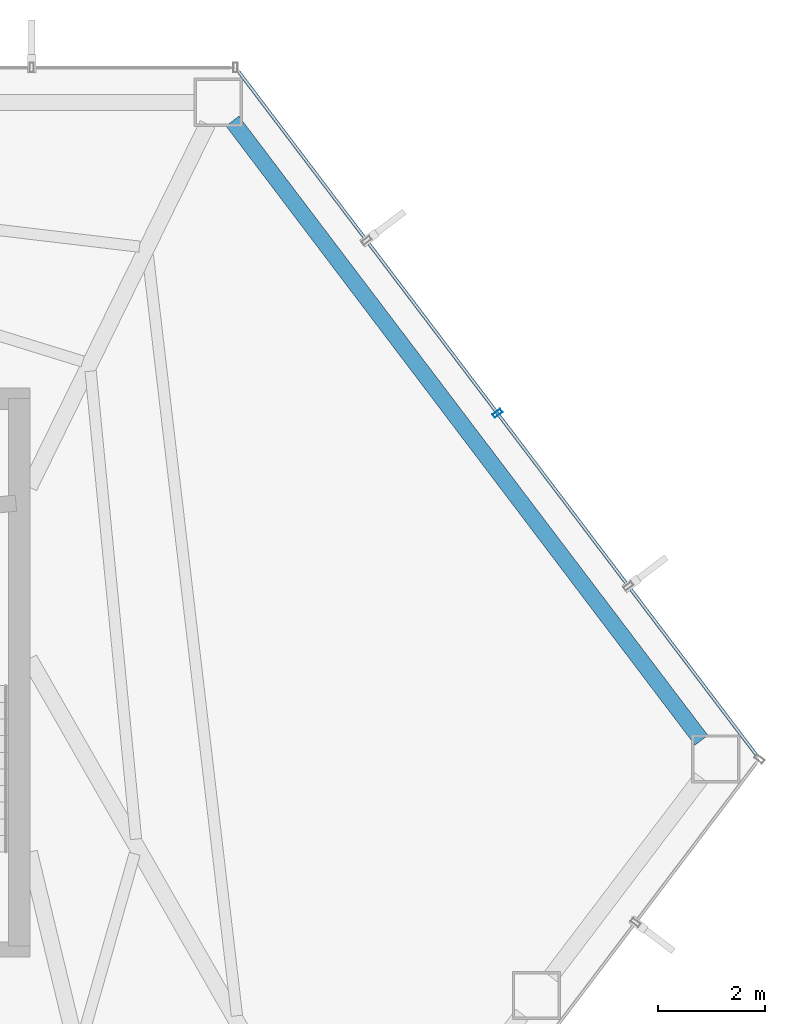
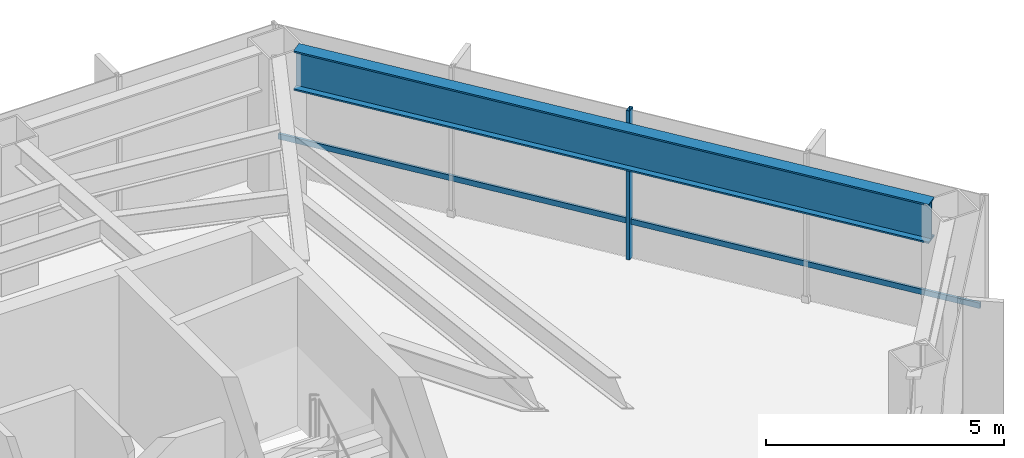
# One storey, part 20 of 25: 2 members, 1 beam, 1 element without a shape of its own.
"""IFC4 building model written with IfcOpenShell, lengths in metres."""

from ifc_helpers import new_model, si_unit, direction, frame, origin, origin_2d, place, context, subcontext, project, spatial, hollow_rectangle, i_section, extrude, material, layer, layer_set, material_profile, profile_set, type_object, element, aggregate, save


model = new_model("IFC4")

# Units and contexts
model_context = context("Model", 3, precision=1e-05, world=origin(), true_north=direction((0.0, 1.0)))
body_context = subcontext(model_context, "Body", "Model", "MODEL_VIEW")
ifc_project = project(units=[si_unit("LENGTHUNIT", "METRE"), si_unit("AREAUNIT", "SQUARE_METRE"), si_unit("VOLUMEUNIT", "CUBIC_METRE"), si_unit("PLANEANGLEUNIT", "RADIAN"), si_unit("MASSUNIT", "GRAM", prefix="KILO")], contexts=[model_context])

# Site, building, storey
site_placement = place(None, origin())
site = spatial("IfcSite", under=ifc_project, at=site_placement, CompositionType="ELEMENT")
building_placement = place(site_placement, origin())
building = spatial("IfcBuilding", under=site, at=building_placement, Name="Zarrinselat Tower", CompositionType="ELEMENT")
storey_placement = place(building_placement, frame((0.0, 0.0, 88.739990234375)))
storey = spatial("IfcBuildingStorey", under=building, at=storey_placement, Name="L21", CompositionType="ELEMENT", Elevation=88.739990234375)

# Beam
ifc_material_1 = material(Name="Steel S460M", Category="steel")
ifc_material_profile_1 = material_profile(ifc_material_1, i_section(OverallWidth=0.302001953125, OverallDepth=1.008056640625, WebThickness=0.02099609375, FlangeThickness=0.0400390625, at=origin_2d()), Name="HEM 1000")
ifc_profile_set_1 = profile_set([ifc_material_profile_1], Name="Steel S460M")
beam_type = type_object("IfcBeamType", Name="BM-HEM1000", PredefinedType="BEAM", material=ifc_profile_set_1)
beam_placement = place(storey_placement, frame((52.23291015625, 48.61767578125, 3.31591796875), z_axis=(0.603850865927, -0.797097316342, 0.0), x_axis=(0.797097316342, 0.603850865927, 0.0)))
element("IfcBeam", 1, at=beam_placement, inside=storey, type_object=beam_type, Name="L21 Perimeter Spandrel Girder SP15", PredefinedType="BEAM", context=body_context, shape_type="SweptSolid", body=[
    extrude(i_section(OverallWidth=0.302001953125, OverallDepth=1.008056640625, WebThickness=0.02099609375, FlangeThickness=0.0400390625, at=origin_2d()), origin(), (0.0, 0.0, 1.0), 14.46923828125),
])

# Curtain wall, members
ifc_material_2 = material(Name="Extruded Aluminium Alloy EN AW-6063 T6", Category="aluminium")
ifc_layer = layer(ifc_material_2, 0.18505859375)
ifc_layer_set = layer_set([ifc_layer], Name="Extruded Aluminium Alloy EN AW-6063 T6")
curtain_wall_type = type_object("IfcCurtainWallType", Name="CWS-OFF", PredefinedType="NOTDEFINED", material=ifc_layer_set)
curtain_wall_placement = place(storey_placement, origin())
curtain_wall = element("IfcCurtainWall", 2, at=curtain_wall_placement, inside=storey, type_object=curtain_wall_type, Name="L21 Unitised Curtain Wall CW-L21-E06", PredefinedType="NOTDEFINED")
ifc_material_3 = material(Name="Extruded Aluminium Alloy EN AW-6063 T6", Category="aluminium")
ifc_material_profile_2 = material_profile(ifc_material_3, hollow_rectangle(XDim=0.080078125, YDim=0.179931640625, WallThickness=0.0048828125, at=origin_2d()), Name="RHS 180x80x5")
ifc_profile_set_2 = profile_set([ifc_material_profile_2], Name="Extruded Aluminium Alloy EN AW-6063 T6")
member_type_1 = type_object("IfcMemberType", Name="MEM-CW-MUL", PredefinedType="MULLION", material=ifc_profile_set_2)
member_1_placement = place(storey_placement, frame((57.1708984375, 43.17578125, 0.0), z_axis=(0.0, 0.0, 1.0), x_axis=(-0.603858164533, 0.797091787141, 0.0)))
member_1 = element("IfcMember", 3, at=member_1_placement, type_object=member_type_1, Name="CW-L21-E06 Mullion 2", PredefinedType="MULLION", context=body_context, shape_type="SweptSolid", body=[
    extrude(hollow_rectangle(XDim=0.080078125, YDim=0.179931640625, WallThickness=0.0048828125, at=origin_2d()), origin(), (0.0, 0.0, 1.0), 3.820068359375),
])
ifc_material_4 = material(Name="Extruded Aluminium Alloy EN AW-6063 T6", Category="aluminium")
ifc_material_profile_3 = material_profile(ifc_material_4, hollow_rectangle(XDim=0.06005859375, YDim=0.139892578125, WallThickness=0.00390625, at=origin_2d()), Name="RHS 140x60x4")
ifc_profile_set_3 = profile_set([ifc_material_profile_3], Name="Extruded Aluminium Alloy EN AW-6063 T6")
member_type_2 = type_object("IfcMemberType", Name="MEM-CW-TRN", PredefinedType="USERDEFINED", material=ifc_profile_set_3)
member_2_placement = place(storey_placement, frame((61.99609375, 36.806884765625, 0.949951171875), z_axis=(-0.603872100397, 0.797081229463, 0.0), x_axis=(-0.797081229463, -0.603872100397, 0.0)))
member_2 = element("IfcMember", 4, at=member_2_placement, type_object=member_type_2, Name="CW-L21-E06 Transom 1", ObjectType="TRANSOM", PredefinedType="USERDEFINED", context=body_context, shape_type="SweptSolid", body=[
    extrude(hollow_rectangle(XDim=0.06005859375, YDim=0.139892578125, WallThickness=0.00390625, at=origin_2d()), origin(), (0.0, 0.0, 1.0), 15.98095703125),
])
aggregate(curtain_wall, [member_1, member_2])

save(model, "model.ifc")
